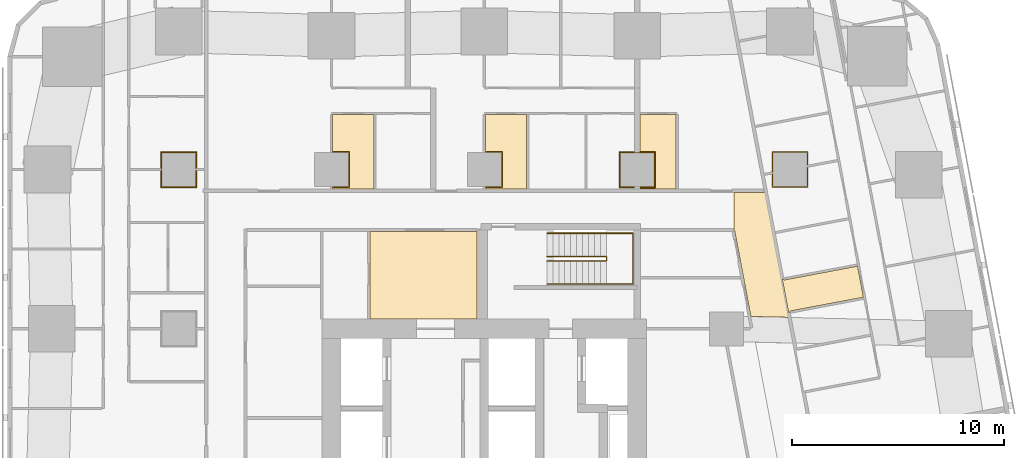
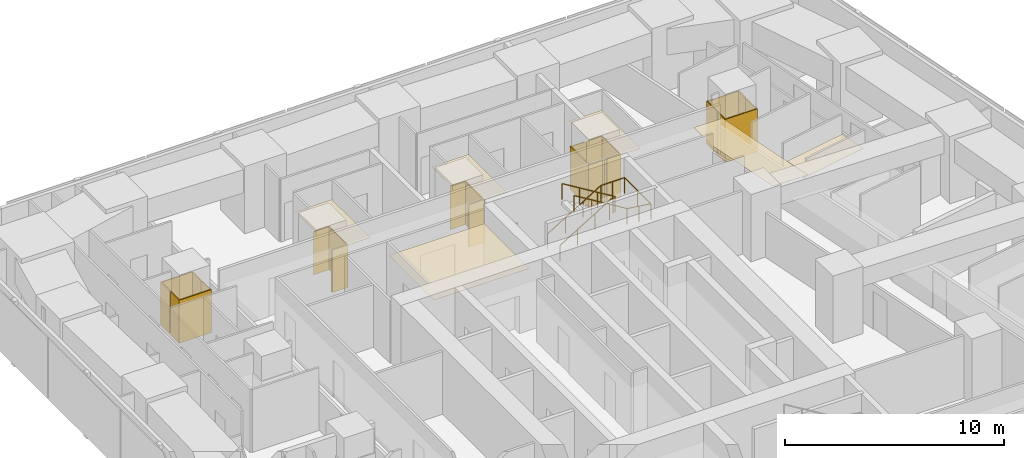
# One storey, part 17 of 17: 14 coverings, 2 railings.
"""IFC4 building model written with IfcOpenShell, lengths in metres."""

import ifcopenshell
import ifcopenshell.guid

model = None  # the IFC model being written
_history = None  # IfcOwnerHistory: only IFC2X3 demands one
_inside = {}  # id of a spatial element -> (the spatial element, [elements in it])
_under = {}  # id of a project, library or spatial element -> (it, [spatial elements below it])
_declared = {}  # id of a project -> (the project, [libraries it declares])
_typed = {}  # id of a type object -> (the type object, [elements of that type])
_made_of = {}  # id of a material, layer set ... -> (it, [elements and type objects made of it])


def new_model(schema):
    """Start an empty IFC model of exactly this schema.

    Asked for "IFC4X3", IfcOpenShell would pick the latest addendum, in which some entities
    have other attributes; the version numbers below select the first issue.
    IFC2X3 requires an IfcOwnerHistory on every rooted entity: one is made here for all.
    """
    global model, _history
    if schema == "IFC4X3":
        model = ifcopenshell.file(schema_version=(4, 3, 0, 0))
    else:
        model = ifcopenshell.file(schema=schema)
    _inside.clear()
    _under.clear()
    _declared.clear()
    _typed.clear()
    _made_of.clear()
    _history = None
    if model.schema == "IFC2X3":
        org = make("IfcOrganization", Name="unknown")
        user = make(
            "IfcPersonAndOrganization",
            ThePerson=make("IfcPerson", FamilyName="unknown"),
            TheOrganization=org,
        )
        app = make(
            "IfcApplication",
            ApplicationDeveloper=org,
            Version="unknown",
            ApplicationFullName="unknown",
            ApplicationIdentifier="unknown",
        )
        _history = make(
            "IfcOwnerHistory",
            OwningUser=user,
            OwningApplication=app,
            ChangeAction="ADDED",
            CreationDate=0,
        )
    return model


def make(cls, **values):
    """One entity of the class cls with the attributes given. An attribute that is None is left unset."""
    return model.create_entity(
        cls, **{name: value for name, value in values.items() if value is not None}
    )


def rooted(cls, **values):
    """An entity with a GlobalId (a new one), such as an element, a storey or a relation."""
    return make(cls, GlobalId=ifcopenshell.guid.new(), OwnerHistory=_history, **values)


def si_unit(unit_type, name, prefix=None):
    """IfcSIUnit, for example si_unit("LENGTHUNIT", "METRE", prefix="MILLI")."""
    return make("IfcSIUnit", UnitType=unit_type, Prefix=prefix, Name=name)


def assignment(units):
    """IfcUnitAssignment: the units of a project."""
    return None if units is None else make("IfcUnitAssignment", Units=units)


def point(xyz):
    """IfcCartesianPoint."""
    return None if xyz is None else make("IfcCartesianPoint", Coordinates=xyz)


def direction(xyz):
    """IfcDirection."""
    return None if xyz is None else make("IfcDirection", DirectionRatios=xyz)


def frame(location, z_axis=None, x_axis=None):
    """IfcAxis2Placement3D, a coordinate frame: its origin and axes. An axis left out is left unset."""
    return make(
        "IfcAxis2Placement3D",
        Location=point(location),
        Axis=direction(z_axis),
        RefDirection=direction(x_axis),
    )


def frame_2d(location, x_axis=None):
    """IfcAxis2Placement2D, a coordinate frame in the plane: its origin and x axis."""
    return make(
        "IfcAxis2Placement2D", Location=point(location), RefDirection=direction(x_axis)
    )


def origin():
    """The frame at (0, 0, 0) with its axes left unset."""
    return frame((0.0, 0.0, 0.0))


def origin_2d():
    """The frame at (0, 0) in the plane with its x axis left unset."""
    return frame_2d((0.0, 0.0))


def place(relative_to, where):
    """IfcLocalPlacement: puts the frame where relative to a parent placement (None: the world)."""
    return make(
        "IfcLocalPlacement", PlacementRelTo=relative_to, RelativePlacement=where
    )


def context(
    kind, dimensions, precision=None, world=None, true_north=None, identifier=None
):
    """IfcGeometricRepresentationContext, for example the 3D "Model" context."""
    return make(
        "IfcGeometricRepresentationContext",
        ContextIdentifier=identifier,
        ContextType=kind,
        CoordinateSpaceDimension=dimensions,
        Precision=precision,
        WorldCoordinateSystem=world,
        TrueNorth=true_north,
    )


def subcontext(parent, identifier, kind, view, scale=None):
    """IfcGeometricRepresentationSubContext, for example "Body" below "Model"."""
    return make(
        "IfcGeometricRepresentationSubContext",
        ContextIdentifier=identifier,
        ContextType=kind,
        ParentContext=parent,
        TargetScale=scale,
        TargetView=view,
    )


def project(units=None, contexts=None):
    """IfcProject with its units and contexts."""
    return rooted(
        "IfcProject",
        Name="project",
        RepresentationContexts=contexts,
        UnitsInContext=assignment(units),
    )


def spatial(cls, under=None, at=None, **own):
    """A site, building, storey or space (cls), placed at a placement, below another one or the project."""
    s = rooted(cls, ObjectPlacement=at, **own)
    if under is not None:
        _under.setdefault(under.id(), (under, []))[1].append(s)
    return s


def polyline(points):
    """IfcPolyline through the points."""
    return make("IfcPolyline", Points=[point(p) for p in points])


def profile(cls, at=None, kind="AREA", **sizes):
    """A parametric profile (cls). Its sizes go by their IFC names, for example OverallWidth=200.0."""
    return make(cls, ProfileType=kind, Position=at, **sizes)


def circle(**sizes):
    """IfcCircleProfileDef."""
    return profile("IfcCircleProfileDef", **sizes)


def outline(outer, holes=None, kind="AREA"):
    """IfcArbitraryClosedProfileDef: a profile drawn as a closed curve; with holes, ...WithVoids."""
    if holes is None:
        return make("IfcArbitraryClosedProfileDef", ProfileType=kind, OuterCurve=outer)
    return make(
        "IfcArbitraryProfileDefWithVoids",
        ProfileType=kind,
        OuterCurve=outer,
        InnerCurves=holes,
    )


def extrude(swept, where, along, depth):
    """IfcExtrudedAreaSolid: the profile swept, set in the frame where, extruded along a direction by depth."""
    return make(
        "IfcExtrudedAreaSolid",
        SweptArea=swept,
        Position=where,
        ExtrudedDirection=direction(along),
        Depth=depth,
    )


def shape(context_of_items, identifier, shape_type, items):
    """IfcShapeRepresentation: the items that make up one representation, for example the "Body"."""
    return make(
        "IfcShapeRepresentation",
        ContextOfItems=context_of_items,
        RepresentationIdentifier=identifier,
        RepresentationType=shape_type,
        Items=items,
    )


def material(Name=None, Category=None):
    """IfcMaterial."""
    return make("IfcMaterial", Name=Name, Category=Category)


def layer(
    of_material, thickness, ventilated=None, Name=None, Category=None, Priority=None
):
    """IfcMaterialLayer: one layer of a wall or slab, of a material (None: an air gap)."""
    return make(
        "IfcMaterialLayer",
        Material=of_material,
        LayerThickness=thickness,
        IsVentilated=ventilated,
        Name=Name,
        Category=Category,
        Priority=Priority,
    )


def layer_set(layers, Name=None):
    """IfcMaterialLayerSet."""
    return make("IfcMaterialLayerSet", MaterialLayers=layers, LayerSetName=Name)


def made_of(thing, what):
    """Note that an element or type object is made of a material, layer set ...; save() writes the relation."""
    if what is not None:
        _made_of.setdefault(what.id(), (what, []))[1].append(thing)
    return thing


def type_object(cls, material=None, **own):
    """A type object (cls), such as IfcWallType, which elements share."""
    return made_of(rooted(cls, **own), material)


def element(
    cls,
    number,
    at=None,
    inside=None,
    cuts=None,
    type_object=None,
    material=None,
    context=None,
    identifier="Body",
    shape_type=None,
    held_by="IfcProductDefinitionShape",
    body=None,
    shapes=None,
    **own,
):
    """One element of the class cls, such as IfcWall. Its Tag is "e" and its number.

    at: its placement. inside: the storey or other place that contains it. cuts: it is an
    opening in that element (IfcRelVoidsElement). A single representation is given by context,
    identifier, shape_type and body (its items); several are given by shapes. held_by: the class
    of the entity that holds the representations. save() writes the other relations.
    """
    e = rooted(cls, Tag="e%d" % number, ObjectPlacement=at, **own)
    if body is not None:
        shapes = [shape(context, identifier, shape_type, body)]
    if shapes is not None:
        e.Representation = make(held_by, Representations=shapes)
    if inside is not None:
        _inside.setdefault(inside.id(), (inside, []))[1].append(e)
    if cuts is not None:
        rooted(
            "IfcRelVoidsElement", RelatingBuildingElement=cuts, RelatedOpeningElement=e
        )
    if type_object is not None:
        _typed.setdefault(type_object.id(), (type_object, []))[1].append(e)
    return made_of(e, material)


def aggregate(whole, parts):
    """IfcRelAggregates: a whole, such as a stair, and the parts it consists of."""
    return rooted("IfcRelAggregates", RelatingObject=whole, RelatedObjects=parts)


def save(model, path):
    """Write the relations noted so far, then the file.

    IfcRelAggregates (storeys below a building ...), IfcRelContainedInSpatialStructure (elements
    in a storey), IfcRelDefinesByType, IfcRelAssociatesMaterial and IfcRelDeclares: one each for
    every whole, place, type object, material and project.
    """
    for whole, parts in _under.values():
        aggregate(whole, parts)
    for where, things in _inside.values():
        rooted(
            "IfcRelContainedInSpatialStructure",
            RelatedElements=things,
            RelatingStructure=where,
        )
    for kind, things in _typed.values():
        rooted("IfcRelDefinesByType", RelatedObjects=things, RelatingType=kind)
    for what, things in _made_of.values():
        rooted("IfcRelAssociatesMaterial", RelatedObjects=things, RelatingMaterial=what)
    for by, libraries in _declared.values():
        rooted("IfcRelDeclares", RelatingContext=by, RelatedDefinitions=libraries)
    model.write(path)


model = new_model("IFC4")

# Units and contexts
model_context = context("Model", 3, precision=1e-05, world=origin(), true_north=direction((0.0, 1.0)))
body_context = subcontext(model_context, "Body", "Model", "MODEL_VIEW")
ifc_project = project(units=[si_unit("LENGTHUNIT", "METRE"), si_unit("AREAUNIT", "SQUARE_METRE"), si_unit("VOLUMEUNIT", "CUBIC_METRE"), si_unit("PLANEANGLEUNIT", "RADIAN"), si_unit("MASSUNIT", "GRAM", prefix="KILO")], contexts=[model_context])

# Site, building, storey
site_placement = place(None, origin())
site = spatial("IfcSite", under=ifc_project, at=site_placement, CompositionType="ELEMENT")
building_placement = place(site_placement, origin())
building = spatial("IfcBuilding", under=site, at=building_placement, Name="Sheger Commons Tower", CompositionType="ELEMENT")
storey_placement = place(building_placement, frame((0.0, 0.0, 111.64990234375)))
storey = spatial("IfcBuildingStorey", under=building, at=storey_placement, Name="L28", CompositionType="ELEMENT", Elevation=111.64990234375)

# Railings
ifc_material_1 = material(Name="Steel handrail, black powder-coated", Category="steel")
railing_type = type_object("IfcRailingType", Name="HANDRAIL 900", PredefinedType="HANDRAIL", material=ifc_material_1)
railing_1_placement = place(storey_placement, frame((24.550048828125, 33.39990234375, 0.170654296875)))
element("IfcRailing", 1, at=railing_1_placement, inside=storey, type_object=railing_type, Name="Stair S2 handrail L28", PredefinedType="HANDRAIL", context=body_context, shape_type="SweptSolid", body=[
    extrude(circle(Radius=0.02392578125, at=origin_2d()), frame((0.0, 0.0, 0.8759765625), z_axis=(0.854202870247, 0.0, 0.519939858505), x_axis=(0.0, 1.0, 0.0)), (0.0, 0.0, 1.0), 3.278076171875),
    extrude(circle(Radius=0.02392578125, at=origin_2d()), frame((2.800048828125, 0.0, 2.580078125), z_axis=(0.0, -0.760631612298, 0.649183757016), x_axis=(1.0, 0.0, 0.0)), (0.0, 0.0, 1.0), 0.262939453125),
    extrude(circle(Radius=0.02392578125, at=origin_2d()), frame((2.800048828125, -0.199951171875, 2.7509765625), z_axis=(-0.854202870247, 0.0, 0.519939858505), x_axis=(0.0, -1.0, 0.0)), (0.0, 0.0, 1.0), 3.278076171875),
    extrude(circle(Radius=0.02099609375, at=origin_2d()), origin(), (0.0, 0.0, 1.0), 0.851806640625),
    extrude(circle(Radius=0.02099609375, at=origin_2d()), frame((0.933349609375, 0.0, 0.568115234375)), (0.0, 0.0, 1.0), 0.851806640625),
    extrude(circle(Radius=0.02099609375, at=origin_2d()), frame((1.86669921875, 0.0, 1.13623046875)), (0.0, 0.0, 1.0), 0.851806640625),
    extrude(circle(Radius=0.02099609375, at=origin_2d()), frame((2.800048828125, 0.0, 1.704345703125)), (0.0, 0.0, 1.0), 0.851806640625),
    extrude(circle(Radius=0.02099609375, at=origin_2d()), frame((2.800048828125, -0.199951171875, 1.875)), (0.0, 0.0, 1.0), 0.851806640625),
    extrude(circle(Radius=0.02099609375, at=origin_2d()), frame((1.86669921875, -0.199951171875, 2.443115234375)), (0.0, 0.0, 1.0), 0.851806640625),
    extrude(circle(Radius=0.02099609375, at=origin_2d()), frame((0.933349609375, -0.199951171875, 3.01123046875)), (0.0, 0.0, 1.0), 0.851806640625),
    extrude(circle(Radius=0.02099609375, at=origin_2d()), frame((0.0, -0.199951171875, 3.579345703125)), (0.0, 0.0, 1.0), 0.851806640625),
])
railing_2_placement = place(storey_placement, frame((24.550048828125, 34.5, 0.170654296875)))
element("IfcRailing", 2, at=railing_2_placement, inside=storey, type_object=railing_type, Name="Stair S2 handrail L28", PredefinedType="HANDRAIL", context=body_context, shape_type="SweptSolid", body=[
    extrude(circle(Radius=0.02392578125, at=origin_2d()), frame((0.0, 0.0, 0.8759765625), z_axis=(0.854202870247, 0.0, 0.519939858505), x_axis=(0.0, 1.0, 0.0)), (0.0, 0.0, 1.0), 3.278076171875),
    extrude(circle(Radius=0.02392578125, at=origin_2d()), frame((2.800048828125, 0.0, 2.580078125), z_axis=(1.0, 0.0, 0.0), x_axis=(0.0, 1.0, 0.0)), (0.0, 0.0, 1.0), 1.25),
    extrude(circle(Radius=0.02392578125, at=origin_2d()), frame((4.050048828125, 0.0, 2.580078125), z_axis=(0.0, -1.0, 0.0), x_axis=(1.0, 0.0, 0.0)), (0.0, 0.0, 1.0), 2.39990234375),
    extrude(circle(Radius=0.02392578125, at=origin_2d()), frame((4.050048828125, -2.39990234375, 2.580078125), z_axis=(-0.990808959222, 0.0, 0.135268645019), x_axis=(0.0, -1.0, 0.0)), (0.0, 0.0, 1.0), 1.261474609375),
    extrude(circle(Radius=0.02392578125, at=origin_2d()), frame((2.800048828125, -2.39990234375, 2.7509765625), z_axis=(-0.854202870247, 0.0, 0.519939858505), x_axis=(0.0, -1.0, 0.0)), (0.0, 0.0, 1.0), 3.278076171875),
    extrude(circle(Radius=0.02099609375, at=origin_2d()), origin(), (0.0, 0.0, 1.0), 0.851806640625),
    extrude(circle(Radius=0.02099609375, at=origin_2d()), frame((0.933349609375, 0.0, 0.568115234375)), (0.0, 0.0, 1.0), 0.851806640625),
    extrude(circle(Radius=0.02099609375, at=origin_2d()), frame((1.86669921875, 0.0, 1.13623046875)), (0.0, 0.0, 1.0), 0.851806640625),
    extrude(circle(Radius=0.02099609375, at=origin_2d()), frame((2.800048828125, 0.0, 1.704345703125)), (0.0, 0.0, 1.0), 0.851806640625),
    extrude(circle(Radius=0.02099609375, at=origin_2d()), frame((3.425048828125, 0.0, 1.704345703125)), (0.0, 0.0, 1.0), 0.851806640625),
    extrude(circle(Radius=0.02099609375, at=origin_2d()), frame((4.050048828125, 0.0, 1.704345703125)), (0.0, 0.0, 1.0), 0.851806640625),
    extrude(circle(Radius=0.02099609375, at=origin_2d()), frame((4.050048828125, -1.199951171875, 1.704345703125)), (0.0, 0.0, 1.0), 0.851806640625),
    extrude(circle(Radius=0.02099609375, at=origin_2d()), frame((4.050048828125, -2.39990234375, 1.704345703125)), (0.0, 0.0, 1.0), 0.851806640625),
    extrude(circle(Radius=0.02099609375, at=origin_2d()), frame((3.425048828125, -2.39990234375, 1.78955078125)), (0.0, 0.0, 1.0), 0.851806640625),
    extrude(circle(Radius=0.02099609375, at=origin_2d()), frame((2.800048828125, -2.39990234375, 1.875)), (0.0, 0.0, 1.0), 0.851806640625),
    extrude(circle(Radius=0.02099609375, at=origin_2d()), frame((1.86669921875, -2.39990234375, 2.443115234375)), (0.0, 0.0, 1.0), 0.851806640625),
    extrude(circle(Radius=0.02099609375, at=origin_2d()), frame((0.933349609375, -2.39990234375, 3.01123046875)), (0.0, 0.0, 1.0), 0.851806640625),
    extrude(circle(Radius=0.02099609375, at=origin_2d()), frame((0.0, -2.39990234375, 3.579345703125)), (0.0, 0.0, 1.0), 0.851806640625),
])

# Coverings
ifc_material_2 = material(Name="Moisture-resistant gypsum plasterboard 15 mm on a suspended galvanised steel grid", Category="steel")
ifc_layer_1 = layer(ifc_material_2, 0.014892578125)
ifc_layer_set_1 = layer_set([ifc_layer_1], Name="MOISTURE-RESISTANT CEILING 15")
covering_type_1 = type_object("IfcCoveringType", Name="MOISTURE-RESISTANT CEILING 15", PredefinedType="CEILING", material=ifc_layer_set_1)
covering_1_placement = place(storey_placement, frame((0.0, 0.0, 2.400146484375)))
element("IfcCovering", 3, at=covering_1_placement, inside=storey, type_object=covering_type_1, Name="L28-07.B2 ceiling", PredefinedType="CEILING", context=body_context, shape_type="SweptSolid", body=[
    extrude(outline(polyline([(35.93798828125, 30.76611328125), (36.007080078125, 30.779052734375), (35.9970703125, 30.8330078125), (39.4609375, 31.487060546875), (39.18408203125, 32.950927734375), (35.719970703125, 32.297119140625), (35.7099609375, 32.35107421875), (35.64111328125, 32.337890625), (35.93798828125, 30.76611328125)])), origin(), (0.0, 0.0, 1.0), 0.014892578125),
])
covering_2_placement = place(storey_placement, frame((0.0, 0.0, 2.400146484375)))
element("IfcCovering", 4, at=covering_2_placement, inside=storey, type_object=covering_type_1, Name="L28-10.B1 ceiling", PredefinedType="CEILING", context=body_context, shape_type="SweptSolid", body=[
    extrude(outline(polyline([(14.455078125, 36.580078125), (16.39501953125, 36.580078125), (16.39501953125, 40.094970703125), (14.455078125, 40.094970703125), (14.455078125, 38.304931640625), (15.205078125, 38.304931640625), (15.205078125, 36.695068359375), (14.455078125, 36.695068359375), (14.455078125, 36.580078125)])), origin(), (0.0, 0.0, 1.0), 0.014892578125),
])
covering_3_placement = place(storey_placement, frame((0.0, 0.0, 2.400146484375)))
element("IfcCovering", 5, at=covering_3_placement, inside=storey, type_object=covering_type_1, Name="L28-11.B1 ceiling", PredefinedType="CEILING", context=body_context, shape_type="SweptSolid", body=[
    extrude(outline(polyline([(21.655029296875, 36.580078125), (23.594970703125, 36.580078125), (23.594970703125, 40.094970703125), (21.655029296875, 40.094970703125), (21.655029296875, 38.304931640625), (22.405029296875, 38.304931640625), (22.405029296875, 36.695068359375), (21.655029296875, 36.695068359375), (21.655029296875, 36.580078125)])), origin(), (0.0, 0.0, 1.0), 0.014892578125),
])
covering_4_placement = place(storey_placement, frame((0.0, 0.0, 2.400146484375)))
element("IfcCovering", 6, at=covering_4_placement, inside=storey, type_object=covering_type_1, Name="L28-12.B1 ceiling", PredefinedType="CEILING", context=body_context, shape_type="SweptSolid", body=[
    extrude(outline(polyline([(28.929931640625, 36.580078125), (30.635009765625, 36.580078125), (30.635009765625, 40.094970703125), (28.929931640625, 40.094970703125), (28.929931640625, 38.304931640625), (29.60498046875, 38.304931640625), (29.60498046875, 36.695068359375), (28.929931640625, 36.695068359375), (28.929931640625, 36.580078125)])), origin(), (0.0, 0.0, 1.0), 0.014892578125),
])
ifc_material_3 = material(Name="Gypsum plasterboard 15 mm on a suspended steel grid", Category="steel")
ifc_layer_2 = layer(ifc_material_3, 0.014892578125)
ifc_layer_set_2 = layer_set([ifc_layer_2], Name="SUSPENDED CEILING 15")
covering_type_2 = type_object("IfcCoveringType", Name="SUSPENDED CEILING 15", PredefinedType="CEILING", material=ifc_layer_set_2)
covering_5_placement = place(storey_placement, frame((0.0, 0.0, 2.7001953125)))
element("IfcCovering", 7, at=covering_5_placement, inside=storey, type_object=covering_type_2, Name="L28-CO ceiling", PredefinedType="CEILING", context=body_context, shape_type="SweptSolid", body=[
    extrude(outline(polyline([(35.98095703125, 30.5380859375), (34.85498046875, 36.5), (34.77001953125, 36.5), (34.77001953125, 36.419921875), (33.365966796875, 36.419921875), (33.365966796875, 34.699951171875), (33.365966796875, 34.697998046875), (33.364013671875, 34.697998046875), (33.382080078125, 34.60205078125), (33.39892578125, 34.60498046875), (34.159912109375, 30.5791015625), (35.98095703125, 30.5380859375)])), origin(), (0.0, 0.0, 1.0), 0.014892578125),
])
covering_6_placement = place(storey_placement, frame((0.0, 0.0, 2.7001953125)))
element("IfcCovering", 8, at=covering_6_placement, inside=storey, type_object=covering_type_2, Name="L28-SVN1 ceiling", PredefinedType="CEILING", context=body_context, shape_type="SweptSolid", body=[
    extrude(outline(polyline([(16.217041015625, 30.455078125), (21.2451171875, 30.455078125), (21.2451171875, 34.58203125), (16.217041015625, 34.58203125), (16.217041015625, 30.455078125)])), origin(), (0.0, 0.0, 1.0), 0.014892578125),
])
ifc_material_4 = material(Name="Moisture-resistant gypsum board 12.5 mm on 25 mm treated timber battens, tanked and tiled", Category="wood")
ifc_layer_3 = layer(ifc_material_4, 0.050048828125)
ifc_layer_set_3 = layer_set([ifc_layer_3], Name="WET-ROOM COLUMN LINING")
covering_type_3 = type_object("IfcCoveringType", Name="WET-ROOM COLUMN LINING", PredefinedType="CLADDING", material=ifc_layer_set_3)
covering_7_placement = place(storey_placement, origin())
element("IfcCovering", 9, at=covering_7_placement, inside=storey, type_object=covering_type_3, Name="Store and laundry column lining C9 L28", PredefinedType="CLADDING", context=body_context, shape_type="SweptSolid", body=[
    extrude(outline(polyline([(6.39990234375, 37.5), (6.39990234375, 36.699951171875), (8.0, 36.699951171875), (8.0, 37.5), (8.0009765625, 37.5), (8.0009765625, 37.449951171875), (8.050048828125, 37.449951171875), (8.050048828125, 36.64990234375), (6.35009765625, 36.64990234375), (6.35009765625, 37.449951171875), (6.39892578125, 37.449951171875), (6.39892578125, 37.5), (6.39990234375, 37.5)])), origin(), (0.0, 0.0, 1.0), 2.400146484375),
])
covering_8_placement = place(storey_placement, origin())
element("IfcCovering", 10, at=covering_8_placement, inside=storey, type_object=covering_type_3, Name="Store and laundry column lining C9 L28", PredefinedType="CLADDING", context=body_context, shape_type="SweptSolid", body=[
    extrude(outline(polyline([(8.050048828125, 38.35009765625), (8.050048828125, 37.550048828125), (8.0009765625, 37.550048828125), (8.0009765625, 37.5), (8.0, 37.5), (8.0, 38.300048828125), (6.39990234375, 38.300048828125), (6.39990234375, 37.5), (6.39892578125, 37.5), (6.39892578125, 37.550048828125), (6.35009765625, 37.550048828125), (6.35009765625, 38.35009765625), (8.050048828125, 38.35009765625)])), origin(), (0.0, 0.0, 1.0), 2.400146484375),
])
covering_9_placement = place(storey_placement, origin())
element("IfcCovering", 11, at=covering_9_placement, inside=storey, type_object=covering_type_3, Name="Bathroom column lining C9 L28", PredefinedType="CLADDING", context=body_context, shape_type="SweptSolid", body=[
    extrude(outline(polyline([(15.25, 36.64990234375), (14.449951171875, 36.64990234375), (14.449951171875, 36.698974609375), (14.39990234375, 36.698974609375), (14.39990234375, 36.699951171875), (15.199951171875, 36.699951171875), (15.199951171875, 38.300048828125), (14.39990234375, 38.300048828125), (14.39990234375, 38.301025390625), (14.449951171875, 38.301025390625), (14.449951171875, 38.35009765625), (15.25, 38.35009765625), (15.25, 36.64990234375)])), origin(), (0.0, 0.0, 1.0), 2.400146484375),
])
covering_10_placement = place(storey_placement, origin())
element("IfcCovering", 12, at=covering_10_placement, inside=storey, type_object=covering_type_3, Name="Bathroom column lining C9 L28", PredefinedType="CLADDING", context=body_context, shape_type="SweptSolid", body=[
    extrude(outline(polyline([(22.449951171875, 36.64990234375), (21.64990234375, 36.64990234375), (21.64990234375, 36.698974609375), (21.60009765625, 36.698974609375), (21.60009765625, 36.699951171875), (22.39990234375, 36.699951171875), (22.39990234375, 38.300048828125), (21.60009765625, 38.300048828125), (21.60009765625, 38.301025390625), (21.64990234375, 38.301025390625), (21.64990234375, 38.35009765625), (22.449951171875, 38.35009765625), (22.449951171875, 36.64990234375)])), origin(), (0.0, 0.0, 1.0), 2.400146484375),
])
covering_11_placement = place(storey_placement, origin())
element("IfcCovering", 13, at=covering_11_placement, inside=storey, type_object=covering_type_3, Name="Laundry room column lining C9 L28", PredefinedType="CLADDING", context=body_context, shape_type="SweptSolid", body=[
    extrude(outline(polyline([(28.675048828125, 38.35009765625), (28.675048828125, 38.301025390625), (28.800048828125, 38.301025390625), (28.800048828125, 38.300048828125), (28.0, 38.300048828125), (28.0, 36.699951171875), (28.800048828125, 36.699951171875), (28.800048828125, 36.698974609375), (28.675048828125, 36.698974609375), (28.675048828125, 36.64990234375), (27.949951171875, 36.64990234375), (27.949951171875, 38.35009765625), (28.675048828125, 38.35009765625)])), origin(), (0.0, 0.0, 1.0), 2.400146484375),
])
covering_12_placement = place(storey_placement, origin())
element("IfcCovering", 14, at=covering_12_placement, inside=storey, type_object=covering_type_3, Name="Shower room column lining C9 L28", PredefinedType="CLADDING", context=body_context, shape_type="SweptSolid", body=[
    extrude(outline(polyline([(29.64990234375, 36.64990234375), (28.925048828125, 36.64990234375), (28.925048828125, 36.698974609375), (28.800048828125, 36.698974609375), (28.800048828125, 36.699951171875), (29.60009765625, 36.699951171875), (29.60009765625, 38.300048828125), (28.800048828125, 38.300048828125), (28.800048828125, 38.301025390625), (28.925048828125, 38.301025390625), (28.925048828125, 38.35009765625), (29.64990234375, 38.35009765625), (29.64990234375, 36.64990234375)])), origin(), (0.0, 0.0, 1.0), 2.400146484375),
])
covering_13_placement = place(storey_placement, origin())
element("IfcCovering", 15, at=covering_13_placement, inside=storey, type_object=covering_type_3, Name="Store and laundry column lining C9 L28", PredefinedType="CLADDING", context=body_context, shape_type="SweptSolid", body=[
    extrude(outline(polyline([(35.199951171875, 37.34912109375), (35.199951171875, 36.699951171875), (36.800048828125, 36.699951171875), (36.800048828125, 37.652099609375), (36.81005859375, 37.654052734375), (36.819091796875, 37.60400390625), (36.85009765625, 37.610107421875), (36.85009765625, 36.64990234375), (35.14990234375, 36.64990234375), (35.14990234375, 37.2890625), (35.198974609375, 37.298095703125), (35.18994140625, 37.346923828125), (35.199951171875, 37.34912109375)])), origin(), (0.0, 0.0, 1.0), 2.400146484375),
])
covering_14_placement = place(storey_placement, origin())
element("IfcCovering", 16, at=covering_14_placement, inside=storey, type_object=covering_type_3, Name="Store and laundry column lining C9 L28", PredefinedType="CLADDING", context=body_context, shape_type="SweptSolid", body=[
    extrude(outline(polyline([(36.85009765625, 38.35009765625), (36.85009765625, 37.7109375), (36.801025390625, 37.701904296875), (36.81005859375, 37.654052734375), (36.800048828125, 37.652099609375), (36.800048828125, 38.300048828125), (35.199951171875, 38.300048828125), (35.199951171875, 37.34912109375), (35.18994140625, 37.346923828125), (35.180908203125, 37.39599609375), (35.14990234375, 37.389892578125), (35.14990234375, 38.35009765625), (36.85009765625, 38.35009765625)])), origin(), (0.0, 0.0, 1.0), 2.400146484375),
])

save(model, "model.ifc")
